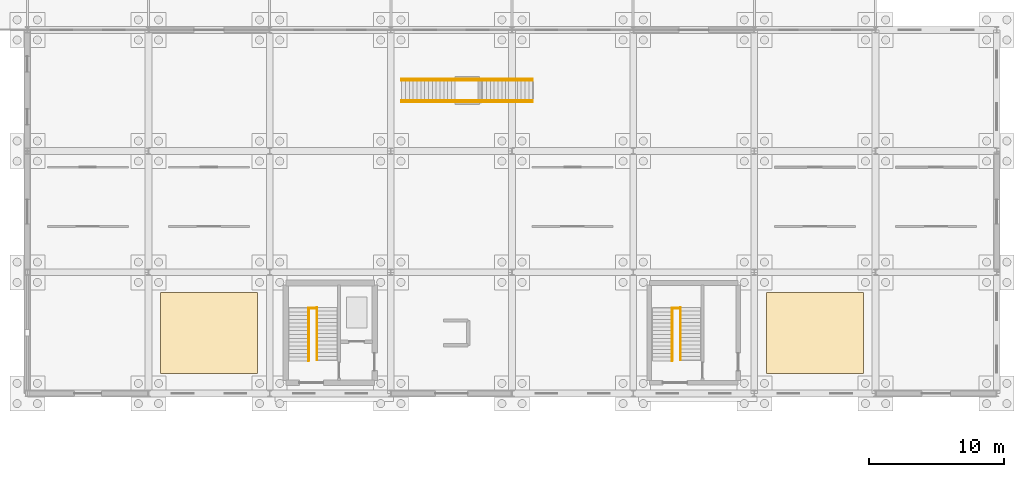
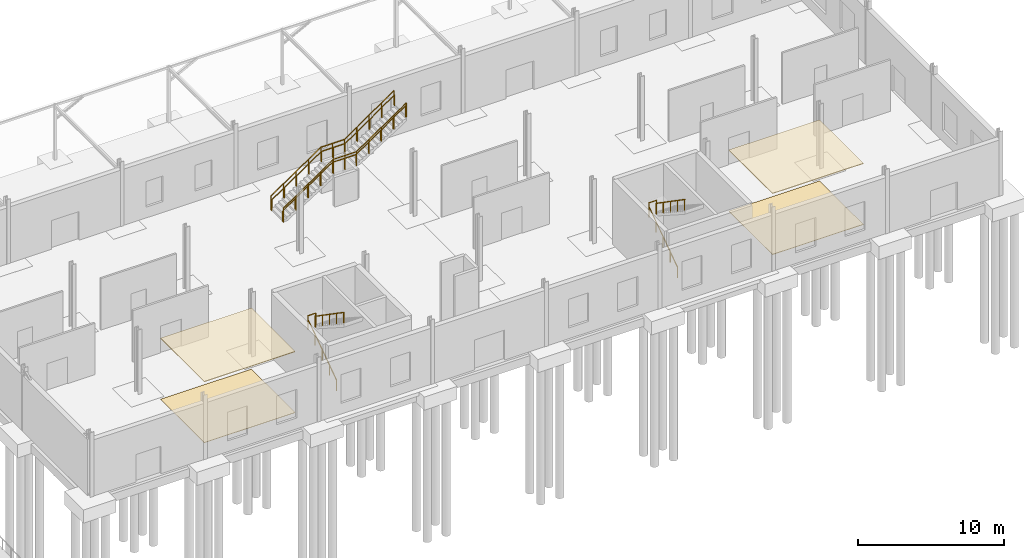
# One storey, part 111 of 118: 10 railings, 4 coverings.
"""IFC4 building model written with IfcOpenShell, lengths in metres."""

from ifc_helpers import new_model, si_unit, direction, frame, origin, origin_2d, place, context, subcontext, project, spatial, rectangle, circle, extrude, material, layer, layer_set, type_object, element, save


model = new_model("IFC4")

# Units and contexts
model_context = context("Model", 3, precision=1e-05, world=origin(), true_north=direction((0.0, 1.0)))
body_context = subcontext(model_context, "Body", "Model", "MODEL_VIEW")
ifc_project = project(units=[si_unit("LENGTHUNIT", "METRE"), si_unit("AREAUNIT", "SQUARE_METRE"), si_unit("VOLUMEUNIT", "CUBIC_METRE"), si_unit("PLANEANGLEUNIT", "RADIAN"), si_unit("MASSUNIT", "GRAM", prefix="KILO")], contexts=[model_context])

# Site, building, storey
site_placement = place(None, origin())
site = spatial("IfcSite", under=ifc_project, at=site_placement, CompositionType="ELEMENT")
building_placement = place(site_placement, origin())
building = spatial("IfcBuilding", under=site, at=building_placement, Name="Kildeholm Park Wholesale Market", CompositionType="ELEMENT")
storey_placement = place(building_placement, origin())
storey = spatial("IfcBuildingStorey", under=building, at=storey_placement, Name="L00", CompositionType="ELEMENT", Elevation=0.0)

# Coverings
ifc_material_1 = material(Name="Polished terrazzo flooring")
ifc_layer_1 = layer(ifc_material_1, 0.030029296875)
ifc_layer_set_1 = layer_set([ifc_layer_1], Name="Polished terrazzo flooring")
covering_type_1 = type_object("IfcCoveringType", Name="Heavy-duty terrazzo market flooring CV-FLR1 30 mm", PredefinedType="FLOORING", material=ifc_layer_set_1)
for number, where, z_axis, x_axis, name in (
    (1, (139.5, 4.5, 0.0), (0.0, 0.0, 1.0), (1.0, 0.0, 0.0), "Market floor finish 3 COV-0045"),
    (2, (184.5, 4.5, 0.0), (0.0, 0.0, 1.0), (1.0, 0.0, 0.0), "Market floor finish 4 COV-0047"),
):
    element("IfcCovering", number, at=place(storey_placement, frame(where, z_axis=z_axis, x_axis=x_axis)), inside=storey, type_object=covering_type_1, Name=name, PredefinedType="FLOORING", context=body_context, shape_type="SweptSolid", body=[
        extrude(rectangle(XDim=7.199951171875, YDim=6.0, at=origin_2d()), origin(), (0.0, 0.0, 1.0), 0.030029296875),
    ])

# Railings
ifc_material_2 = material(Name="Painted steel and laminated glass balustrade", Category="steel")
railing_type_1 = type_object("IfcRailingType", Name="Interior gallery and stairwell guard GR-IN1 1200 mm", PredefinedType="GUARDRAIL", material=ifc_material_2)
for number, where, name in (
    (3, (146.89990234375, 6.330078125, 2.699951171875), "Stair C06 half-landing well guard L00 RLG-0074"),
    (4, (173.89990234375, 6.330078125, 2.699951171875), "Stair C07 half-landing well guard L00 RLG-0086"),
):
    element("IfcRailing", number, at=place(storey_placement, frame(where)), inside=storey, type_object=railing_type_1, Name=name, PredefinedType="GUARDRAIL", context=body_context, shape_type="SweptSolid", body=[
        extrude(circle(Radius=0.02392578125, at=origin_2d()), frame((0.0, 0.0, 1.17578125), z_axis=(1.0, 0.0, 0.0), x_axis=(0.0, 1.0, 0.0)), (0.0, 0.0, 1.0), 0.610107421875),
        extrude(circle(Radius=0.02099609375, at=origin_2d()), origin(), (0.0, 0.0, 1.0), 1.15185546875),
        extrude(circle(Radius=0.02099609375, at=origin_2d()), frame((0.610107421875, 0.0, 0.0)), (0.0, 0.0, 1.0), 1.15185546875),
    ])
railing_1_placement = place(storey_placement, frame((153.800048828125, 21.659912109375, 0.0)))
element("IfcRailing", 5, at=railing_1_placement, inside=storey, type_object=railing_type_1, Name="Feature stair guard ST-FT02 S RLG-0159", PredefinedType="GUARDRAIL", context=body_context, shape_type="SweptSolid", body=[
    extrude(circle(Radius=0.02392578125, at=origin_2d()), frame((0.0, 0.0, 1.17578125), z_axis=(0.825565005729, 0.0, 0.564307027527), x_axis=(0.0, 1.0, 0.0)), (0.0, 0.0, 1.0), 4.784423828125),
    extrude(circle(Radius=0.02392578125, at=origin_2d()), frame((3.949951171875, 0.0, 3.8759765625), z_axis=(1.0, 0.0, 0.0), x_axis=(0.0, 1.0, 0.0)), (0.0, 0.0, 1.0), 1.85009765625),
    extrude(circle(Radius=0.02392578125, at=origin_2d()), frame((5.800048828125, 0.0, 3.8759765625), z_axis=(0.82422564366, 0.0, 0.566261501723), x_axis=(0.0, 1.0, 0.0)), (0.0, 0.0, 1.0), 4.76806640625),
    extrude(circle(Radius=0.02099609375, at=origin_2d()), origin(), (0.0, 0.0, 1.0), 1.15185546875),
    extrude(circle(Radius=0.02099609375, at=origin_2d()), frame((0.987548828125, 0.0, 0.675048828125)), (0.0, 0.0, 1.0), 1.15185546875),
    extrude(circle(Radius=0.02099609375, at=origin_2d()), frame((1.97509765625, 0.0, 1.35009765625)), (0.0, 0.0, 1.0), 1.15185546875),
    extrude(circle(Radius=0.02099609375, at=origin_2d()), frame((2.96240234375, 0.0, 2.02490234375)), (0.0, 0.0, 1.0), 1.15185546875),
    extrude(circle(Radius=0.02099609375, at=origin_2d()), frame((3.949951171875, 0.0, 2.699951171875)), (0.0, 0.0, 1.0), 1.15185546875),
    extrude(circle(Radius=0.02099609375, at=origin_2d()), frame((4.875, 0.0, 2.699951171875)), (0.0, 0.0, 1.0), 1.15185546875),
    extrude(circle(Radius=0.02099609375, at=origin_2d()), frame((5.800048828125, 0.0, 2.699951171875)), (0.0, 0.0, 1.0), 1.15185546875),
    extrude(circle(Radius=0.02099609375, at=origin_2d()), frame((6.782470703125, 0.0, 3.375)), (0.0, 0.0, 1.0), 1.15185546875),
    extrude(circle(Radius=0.02099609375, at=origin_2d()), frame((7.76513671875, 0.0, 4.0498046875)), (0.0, 0.0, 1.0), 1.15185546875),
    extrude(circle(Radius=0.02099609375, at=origin_2d()), frame((8.74755859375, 0.0, 4.724853515625)), (0.0, 0.0, 1.0), 1.15185546875),
    extrude(circle(Radius=0.02099609375, at=origin_2d()), frame((9.72998046875, 0.0, 5.39990234375)), (0.0, 0.0, 1.0), 1.15185546875),
])
railing_2_placement = place(storey_placement, frame((153.800048828125, 23.340087890625, 0.0)))
element("IfcRailing", 6, at=railing_2_placement, inside=storey, type_object=railing_type_1, Name="Feature stair guard ST-FT02 N RLG-0161", PredefinedType="GUARDRAIL", context=body_context, shape_type="SweptSolid", body=[
    extrude(circle(Radius=0.02392578125, at=origin_2d()), frame((0.0, 0.0, 1.17578125), z_axis=(0.825565005729, 0.0, 0.564307027527), x_axis=(0.0, 1.0, 0.0)), (0.0, 0.0, 1.0), 4.784423828125),
    extrude(circle(Radius=0.02392578125, at=origin_2d()), frame((3.949951171875, 0.0, 3.8759765625), z_axis=(1.0, 0.0, 0.0), x_axis=(0.0, 1.0, 0.0)), (0.0, 0.0, 1.0), 1.85009765625),
    extrude(circle(Radius=0.02392578125, at=origin_2d()), frame((5.800048828125, 0.0, 3.8759765625), z_axis=(0.82422564366, 0.0, 0.566261501723), x_axis=(0.0, 1.0, 0.0)), (0.0, 0.0, 1.0), 4.76806640625),
    extrude(circle(Radius=0.02099609375, at=origin_2d()), origin(), (0.0, 0.0, 1.0), 1.15185546875),
    extrude(circle(Radius=0.02099609375, at=origin_2d()), frame((0.987548828125, 0.0, 0.675048828125)), (0.0, 0.0, 1.0), 1.15185546875),
    extrude(circle(Radius=0.02099609375, at=origin_2d()), frame((1.97509765625, 0.0, 1.35009765625)), (0.0, 0.0, 1.0), 1.15185546875),
    extrude(circle(Radius=0.02099609375, at=origin_2d()), frame((2.96240234375, 0.0, 2.02490234375)), (0.0, 0.0, 1.0), 1.15185546875),
    extrude(circle(Radius=0.02099609375, at=origin_2d()), frame((3.949951171875, 0.0, 2.699951171875)), (0.0, 0.0, 1.0), 1.15185546875),
    extrude(circle(Radius=0.02099609375, at=origin_2d()), frame((4.875, 0.0, 2.699951171875)), (0.0, 0.0, 1.0), 1.15185546875),
    extrude(circle(Radius=0.02099609375, at=origin_2d()), frame((5.800048828125, 0.0, 2.699951171875)), (0.0, 0.0, 1.0), 1.15185546875),
    extrude(circle(Radius=0.02099609375, at=origin_2d()), frame((6.782470703125, 0.0, 3.375)), (0.0, 0.0, 1.0), 1.15185546875),
    extrude(circle(Radius=0.02099609375, at=origin_2d()), frame((7.76513671875, 0.0, 4.0498046875)), (0.0, 0.0, 1.0), 1.15185546875),
    extrude(circle(Radius=0.02099609375, at=origin_2d()), frame((8.74755859375, 0.0, 4.724853515625)), (0.0, 0.0, 1.0), 1.15185546875),
    extrude(circle(Radius=0.02099609375, at=origin_2d()), frame((9.72998046875, 0.0, 5.39990234375)), (0.0, 0.0, 1.0), 1.15185546875),
])

# Coverings
ifc_material_3 = material(Name="Fire-retardant acoustic baffle ceiling")
ifc_layer_2 = layer(ifc_material_3, 0.054931640625)
ifc_layer_set_2 = layer_set([ifc_layer_2], Name="Fire-retardant acoustic baffle ceiling")
covering_type_2 = type_object("IfcCoveringType", Name="Perforated acoustic timber-slat ceiling CV-CLG2 55 mm", PredefinedType="CEILING", material=ifc_layer_set_2)
for number, where, z_axis, x_axis, name in (
    (7, (139.5, 4.5, 5.09521484375), (0.0, 0.0, 1.0), (1.0, 0.0, 0.0), "Acoustic ceiling 3 COV-0046"),
    (8, (184.5, 4.5, 5.09521484375), (0.0, 0.0, 1.0), (1.0, 0.0, 0.0), "Acoustic ceiling 4 COV-0048"),
):
    element("IfcCovering", number, at=place(storey_placement, frame(where, z_axis=z_axis, x_axis=x_axis)), inside=storey, type_object=covering_type_2, Name=name, PredefinedType="CEILING", context=body_context, shape_type="SweptSolid", body=[
        extrude(rectangle(XDim=7.199951171875, YDim=6.0, at=origin_2d()), origin(), (0.0, 0.0, 1.0), 0.054931640625),
    ])

# Railings
ifc_material_4 = material(Name="Stainless steel AISI 316 handrail", Category="steel")
railing_type_2 = type_object("IfcRailingType", Name="Stair flight handrail HR-IN1 900 mm", PredefinedType="HANDRAIL", material=ifc_material_4)
railing_3_placement = place(storey_placement, frame((146.89990234375, 2.419921875, 0.0)))
element("IfcRailing", 9, at=railing_3_placement, inside=storey, type_object=railing_type_2, Name="Stair C06 flight 1 handrail L00 RLG-0076", PredefinedType="HANDRAIL", context=body_context, shape_type="SweptSolid", body=[
    extrude(circle(Radius=0.02392578125, at=origin_2d()), frame((0.0, 0.0, 0.8759765625), z_axis=(0.0, 0.823567234665, 0.567218661528), x_axis=(-1.0, 0.0, 0.0)), (0.0, 0.0, 1.0), 4.760009765625),
    extrude(circle(Radius=0.02099609375, at=origin_2d()), origin(), (0.0, 0.0, 1.0), 0.851806640625),
    extrude(circle(Radius=0.02099609375, at=origin_2d()), frame((0.0, 0.97998046875, 0.675048828125)), (0.0, 0.0, 1.0), 0.851806640625),
    extrude(circle(Radius=0.02099609375, at=origin_2d()), frame((0.0, 1.9599609375, 1.35009765625)), (0.0, 0.0, 1.0), 0.851806640625),
    extrude(circle(Radius=0.02099609375, at=origin_2d()), frame((0.0, 2.940185546875, 2.02490234375)), (0.0, 0.0, 1.0), 0.851806640625),
    extrude(circle(Radius=0.02099609375, at=origin_2d()), frame((0.0, 3.920166015625, 2.699951171875)), (0.0, 0.0, 1.0), 0.851806640625),
])
railing_4_placement = place(storey_placement, frame((147.510009765625, 6.39990234375, 2.699951171875)))
element("IfcRailing", 10, at=railing_4_placement, inside=storey, type_object=railing_type_2, Name="Stair C06 flight 2 handrail L00 RLG-0077", PredefinedType="HANDRAIL", context=body_context, shape_type="SweptSolid", body=[
    extrude(circle(Radius=0.02392578125, at=origin_2d()), frame((0.0, 0.0, 0.8759765625), z_axis=(0.0, -0.823550731654, 0.567242622158), x_axis=(1.0, 0.0, 0.0)), (0.0, 0.0, 1.0), 4.759765625),
    extrude(circle(Radius=0.02099609375, at=origin_2d()), origin(), (0.0, 0.0, 1.0), 0.851806640625),
    extrude(circle(Radius=0.02099609375, at=origin_2d()), frame((0.0, -0.97998046875, 0.675048828125)), (0.0, 0.0, 1.0), 0.851806640625),
    extrude(circle(Radius=0.02099609375, at=origin_2d()), frame((0.0, -1.9599609375, 1.35009765625)), (0.0, 0.0, 1.0), 0.851806640625),
    extrude(circle(Radius=0.02099609375, at=origin_2d()), frame((0.0, -2.93994140625, 2.02490234375)), (0.0, 0.0, 1.0), 0.851806640625),
    extrude(circle(Radius=0.02099609375, at=origin_2d()), frame((0.0, -3.919921875, 2.699951171875)), (0.0, 0.0, 1.0), 0.851806640625),
])
railing_5_placement = place(storey_placement, frame((173.89990234375, 2.419921875, 0.0)))
element("IfcRailing", 11, at=railing_5_placement, inside=storey, type_object=railing_type_2, Name="Stair C07 flight 1 handrail L00 RLG-0088", PredefinedType="HANDRAIL", context=body_context, shape_type="SweptSolid", body=[
    extrude(circle(Radius=0.02392578125, at=origin_2d()), frame((0.0, 0.0, 0.8759765625), z_axis=(0.0, 0.823567234665, 0.567218661528), x_axis=(-1.0, 0.0, 0.0)), (0.0, 0.0, 1.0), 4.760009765625),
    extrude(circle(Radius=0.02099609375, at=origin_2d()), origin(), (0.0, 0.0, 1.0), 0.851806640625),
    extrude(circle(Radius=0.02099609375, at=origin_2d()), frame((0.0, 0.97998046875, 0.675048828125)), (0.0, 0.0, 1.0), 0.851806640625),
    extrude(circle(Radius=0.02099609375, at=origin_2d()), frame((0.0, 1.9599609375, 1.35009765625)), (0.0, 0.0, 1.0), 0.851806640625),
    extrude(circle(Radius=0.02099609375, at=origin_2d()), frame((0.0, 2.940185546875, 2.02490234375)), (0.0, 0.0, 1.0), 0.851806640625),
    extrude(circle(Radius=0.02099609375, at=origin_2d()), frame((0.0, 3.920166015625, 2.699951171875)), (0.0, 0.0, 1.0), 0.851806640625),
])
railing_6_placement = place(storey_placement, frame((174.510009765625, 6.39990234375, 2.699951171875)))
element("IfcRailing", 12, at=railing_6_placement, inside=storey, type_object=railing_type_2, Name="Stair C07 flight 2 handrail L00 RLG-0089", PredefinedType="HANDRAIL", context=body_context, shape_type="SweptSolid", body=[
    extrude(circle(Radius=0.02392578125, at=origin_2d()), frame((0.0, 0.0, 0.8759765625), z_axis=(0.0, -0.823550731654, 0.567242622158), x_axis=(1.0, 0.0, 0.0)), (0.0, 0.0, 1.0), 4.759765625),
    extrude(circle(Radius=0.02099609375, at=origin_2d()), origin(), (0.0, 0.0, 1.0), 0.851806640625),
    extrude(circle(Radius=0.02099609375, at=origin_2d()), frame((0.0, -0.97998046875, 0.675048828125)), (0.0, 0.0, 1.0), 0.851806640625),
    extrude(circle(Radius=0.02099609375, at=origin_2d()), frame((0.0, -1.9599609375, 1.35009765625)), (0.0, 0.0, 1.0), 0.851806640625),
    extrude(circle(Radius=0.02099609375, at=origin_2d()), frame((0.0, -2.93994140625, 2.02490234375)), (0.0, 0.0, 1.0), 0.851806640625),
    extrude(circle(Radius=0.02099609375, at=origin_2d()), frame((0.0, -3.919921875, 2.699951171875)), (0.0, 0.0, 1.0), 0.851806640625),
])
railing_7_placement = place(storey_placement, frame((153.800048828125, 21.743896484375, 0.0)))
element("IfcRailing", 13, at=railing_7_placement, inside=storey, type_object=railing_type_2, Name="Feature stair handrail ST-FT02 S RLG-0160", PredefinedType="HANDRAIL", context=body_context, shape_type="SweptSolid", body=[
    extrude(circle(Radius=0.02392578125, at=origin_2d()), frame((0.0, 0.0, 0.8759765625), z_axis=(0.825565005729, 0.0, 0.564307027527), x_axis=(0.0, 1.0, 0.0)), (0.0, 0.0, 1.0), 4.784423828125),
    extrude(circle(Radius=0.02392578125, at=origin_2d()), frame((3.949951171875, 0.0, 3.57568359375), z_axis=(1.0, 0.0, 0.0), x_axis=(0.0, 1.0, 0.0)), (0.0, 0.0, 1.0), 1.85009765625),
    extrude(circle(Radius=0.02392578125, at=origin_2d()), frame((5.800048828125, 0.0, 3.57568359375), z_axis=(0.82422564366, 0.0, 0.566261501723), x_axis=(0.0, 1.0, 0.0)), (0.0, 0.0, 1.0), 4.76806640625),
    extrude(circle(Radius=0.02099609375, at=origin_2d()), origin(), (0.0, 0.0, 1.0), 0.851806640625),
    extrude(circle(Radius=0.02099609375, at=origin_2d()), frame((0.987548828125, 0.0, 0.675048828125)), (0.0, 0.0, 1.0), 0.851806640625),
    extrude(circle(Radius=0.02099609375, at=origin_2d()), frame((1.97509765625, 0.0, 1.35009765625)), (0.0, 0.0, 1.0), 0.851806640625),
    extrude(circle(Radius=0.02099609375, at=origin_2d()), frame((2.96240234375, 0.0, 2.02490234375)), (0.0, 0.0, 1.0), 0.851806640625),
    extrude(circle(Radius=0.02099609375, at=origin_2d()), frame((3.949951171875, 0.0, 2.699951171875)), (0.0, 0.0, 1.0), 0.851806640625),
    extrude(circle(Radius=0.02099609375, at=origin_2d()), frame((4.875, 0.0, 2.699951171875)), (0.0, 0.0, 1.0), 0.851806640625),
    extrude(circle(Radius=0.02099609375, at=origin_2d()), frame((5.800048828125, 0.0, 2.699951171875)), (0.0, 0.0, 1.0), 0.851806640625),
    extrude(circle(Radius=0.02099609375, at=origin_2d()), frame((6.782470703125, 0.0, 3.375)), (0.0, 0.0, 1.0), 0.851806640625),
    extrude(circle(Radius=0.02099609375, at=origin_2d()), frame((7.76513671875, 0.0, 4.0498046875)), (0.0, 0.0, 1.0), 0.851806640625),
    extrude(circle(Radius=0.02099609375, at=origin_2d()), frame((8.74755859375, 0.0, 4.724853515625)), (0.0, 0.0, 1.0), 0.851806640625),
    extrude(circle(Radius=0.02099609375, at=origin_2d()), frame((9.72998046875, 0.0, 5.39990234375)), (0.0, 0.0, 1.0), 0.851806640625),
])
railing_8_placement = place(storey_placement, frame((153.800048828125, 23.256103515625, 0.0)))
element("IfcRailing", 14, at=railing_8_placement, inside=storey, type_object=railing_type_2, Name="Feature stair handrail ST-FT02 N RLG-0162", PredefinedType="HANDRAIL", context=body_context, shape_type="SweptSolid", body=[
    extrude(circle(Radius=0.02392578125, at=origin_2d()), frame((0.0, 0.0, 0.8759765625), z_axis=(0.825565005729, 0.0, 0.564307027527), x_axis=(0.0, 1.0, 0.0)), (0.0, 0.0, 1.0), 4.784423828125),
    extrude(circle(Radius=0.02392578125, at=origin_2d()), frame((3.949951171875, 0.0, 3.57568359375), z_axis=(1.0, 0.0, 0.0), x_axis=(0.0, 1.0, 0.0)), (0.0, 0.0, 1.0), 1.85009765625),
    extrude(circle(Radius=0.02392578125, at=origin_2d()), frame((5.800048828125, 0.0, 3.57568359375), z_axis=(0.82422564366, 0.0, 0.566261501723), x_axis=(0.0, 1.0, 0.0)), (0.0, 0.0, 1.0), 4.76806640625),
    extrude(circle(Radius=0.02099609375, at=origin_2d()), origin(), (0.0, 0.0, 1.0), 0.851806640625),
    extrude(circle(Radius=0.02099609375, at=origin_2d()), frame((0.987548828125, 0.0, 0.675048828125)), (0.0, 0.0, 1.0), 0.851806640625),
    extrude(circle(Radius=0.02099609375, at=origin_2d()), frame((1.97509765625, 0.0, 1.35009765625)), (0.0, 0.0, 1.0), 0.851806640625),
    extrude(circle(Radius=0.02099609375, at=origin_2d()), frame((2.96240234375, 0.0, 2.02490234375)), (0.0, 0.0, 1.0), 0.851806640625),
    extrude(circle(Radius=0.02099609375, at=origin_2d()), frame((3.949951171875, 0.0, 2.699951171875)), (0.0, 0.0, 1.0), 0.851806640625),
    extrude(circle(Radius=0.02099609375, at=origin_2d()), frame((4.875, 0.0, 2.699951171875)), (0.0, 0.0, 1.0), 0.851806640625),
    extrude(circle(Radius=0.02099609375, at=origin_2d()), frame((5.800048828125, 0.0, 2.699951171875)), (0.0, 0.0, 1.0), 0.851806640625),
    extrude(circle(Radius=0.02099609375, at=origin_2d()), frame((6.782470703125, 0.0, 3.375)), (0.0, 0.0, 1.0), 0.851806640625),
    extrude(circle(Radius=0.02099609375, at=origin_2d()), frame((7.76513671875, 0.0, 4.0498046875)), (0.0, 0.0, 1.0), 0.851806640625),
    extrude(circle(Radius=0.02099609375, at=origin_2d()), frame((8.74755859375, 0.0, 4.724853515625)), (0.0, 0.0, 1.0), 0.851806640625),
    extrude(circle(Radius=0.02099609375, at=origin_2d()), frame((9.72998046875, 0.0, 5.39990234375)), (0.0, 0.0, 1.0), 0.851806640625),
])

save(model, "model.ifc")
